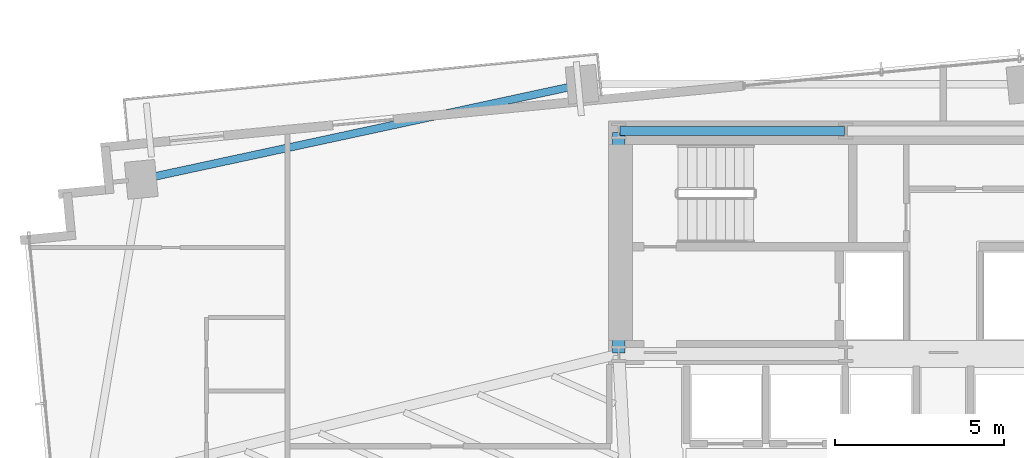
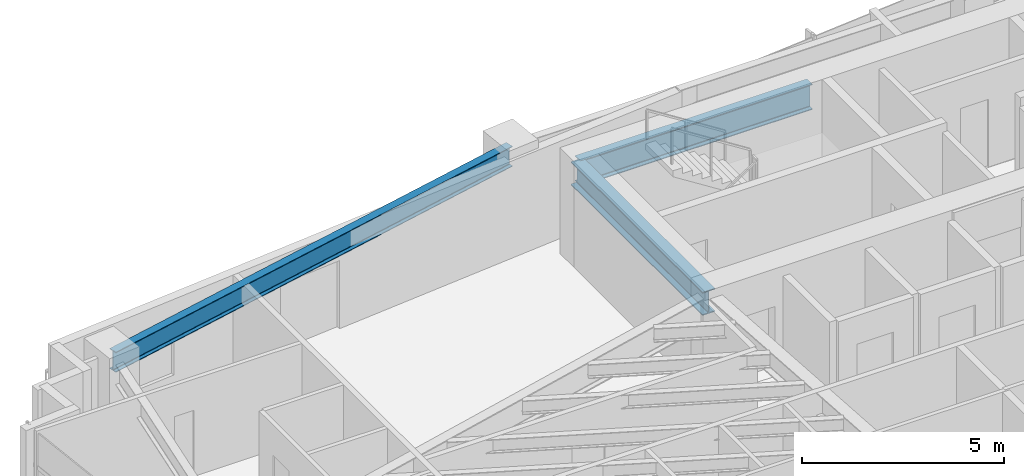
# One storey, part 9 of 25: 3 beams.
"""IFC4 building model written with IfcOpenShell, lengths in metres."""

from ifc_helpers import new_model, si_unit, direction, frame, origin, origin_2d, place, context, subcontext, project, spatial, i_section, extrude, source, transform, mapped, material, material_profile, profile_set, type_object, type_shapes, element, save


model = new_model("IFC4")

# Units and contexts
model_context = context("Model", 3, precision=1e-05, world=origin(), true_north=direction((0.0, 1.0)))
body_context = subcontext(model_context, "Body", "Model", "MODEL_VIEW")
ifc_project = project(units=[si_unit("LENGTHUNIT", "METRE"), si_unit("AREAUNIT", "SQUARE_METRE"), si_unit("VOLUMEUNIT", "CUBIC_METRE"), si_unit("PLANEANGLEUNIT", "RADIAN"), si_unit("MASSUNIT", "GRAM", prefix="KILO")], contexts=[model_context])

# Site, building, storey
site_placement = place(None, origin())
site = spatial("IfcSite", under=ifc_project, at=site_placement, CompositionType="ELEMENT")
building_placement = place(site_placement, origin())
building = spatial("IfcBuilding", under=site, at=building_placement, Name="Astriad Promenade Condominiums", CompositionType="ELEMENT")
storey_placement = place(building_placement, frame((0.0, 0.0, 77.800048828125)))
storey = spatial("IfcBuildingStorey", under=building, at=storey_placement, Name="L21", CompositionType="ELEMENT", Elevation=77.800048828125)

# Beams
ifc_material = material(Name="Steel ASTM A992 Grade 50", Category="steel")
ifc_material_profile_1 = material_profile(ifc_material, i_section(OverallWidth=0.267822265625, OverallDepth=0.76953125, WebThickness=0.015625, FlangeThickness=0.025390625, FilletRadius=0.021484375, at=origin_2d()), Name="W30X132")
ifc_profile_set_1 = profile_set([ifc_material_profile_1], Name="Steel ASTM A992 Grade 50")
beam_type_1 = type_object("IfcBeamType", Name="STEEL FLOOR GIRDER W30X132", PredefinedType="BEAM", material=ifc_profile_set_1)
shared_shape_1 = source(origin(), body_context, "Body", "SweptSolid", [
    extrude(i_section(OverallWidth=0.267822265625, OverallDepth=0.76953125, WebThickness=0.015625, FlangeThickness=0.025390625, FilletRadius=0.021484375, at=origin_2d()), origin(), (0.0, 0.0, 1.0), 6.64013671875),
])
type_shapes(beam_type_1, [shared_shape_1])
beam_1_placement = place(storey_placement, frame((26.43994140625, 24.0, 2.55517578125), z_axis=(1.0, 0.0, 0.0), x_axis=(0.0, 1.0, 0.0)))
element("IfcBeam", 1, at=beam_1_placement, inside=storey, type_object=beam_type_1, Name="Core Ring Beam CG-N1-L21", PredefinedType="BEAM", context=body_context, shape_type="MappedRepresentation", body=[
    mapped(shared_shape_1, transform((0.0, 0.0, 0.0), scale=1.0)),
])
ifc_material_profile_2 = material_profile(ifc_material, i_section(OverallWidth=0.35791015625, OverallDepth=0.706298828125, WebThickness=0.018310546875, FlangeThickness=0.0302734375, FilletRadius=0.020263671875, at=origin_2d()), Name="W27X178")
ifc_profile_set_2 = profile_set([ifc_material_profile_2], Name="Steel ASTM A992 Grade 50")
beam_type_2 = type_object("IfcBeamType", Name="STEEL FLOOR GIRDER W27X178", PredefinedType="BEAM", material=ifc_profile_set_2)
shared_shape_2 = source(origin(), body_context, "Body", "SweptSolid", [
    extrude(i_section(OverallWidth=0.35791015625, OverallDepth=0.706298828125, WebThickness=0.018310546875, FlangeThickness=0.0302734375, FilletRadius=0.020263671875, at=origin_2d()), origin(), (0.0, 0.0, 1.0), 6.52001953125),
])
type_shapes(beam_type_2, [shared_shape_2])
beam_2_placement = place(storey_placement, frame((26.39990234375, 17.43994140625, 2.586669921875), z_axis=(0.0, 1.0, 0.0), x_axis=(-1.0, 0.0, 0.0)))
element("IfcBeam", 2, at=beam_2_placement, inside=storey, type_object=beam_type_2, Name="Core Ring Beam CG-W1-L21", PredefinedType="BEAM", context=body_context, shape_type="MappedRepresentation", body=[
    mapped(shared_shape_2, transform((0.0, 0.0, 0.0), scale=1.0)),
])
ifc_material_profile_3 = material_profile(ifc_material, i_section(OverallWidth=0.22900390625, OverallDepth=0.612060546875, WebThickness=0.011962890625, FlangeThickness=0.01953125, FilletRadius=0.017822265625, at=origin_2d()), Name="W24X84")
ifc_profile_set_3 = profile_set([ifc_material_profile_3], Name="Steel ASTM A992 Grade 50")
beam_type_3 = type_object("IfcBeamType", Name="STEEL SPANDREL BEAM W24X84", PredefinedType="SPANDREL", material=ifc_profile_set_3)
shared_shape_3 = source(origin(), body_context, "Body", "SweptSolid", [
    extrude(i_section(OverallWidth=0.22900390625, OverallDepth=0.612060546875, WebThickness=0.011962890625, FlangeThickness=0.01953125, FilletRadius=0.017822265625, at=origin_2d()), origin(), (0.0, 0.0, 1.0), 13.25927734375),
])
type_shapes(beam_type_3, [shared_shape_3])
beam_3_placement = place(storey_placement, frame((25.27587890625, 25.37158203125, 2.6337890625), z_axis=(-0.977531608864, -0.210788884127, 0.0), x_axis=(0.210788884127, -0.977531608864, 0.0)))
element("IfcBeam", 3, at=beam_3_placement, inside=storey, type_object=beam_type_3, Name="Perimeter Spandrel Beam SP-N1-L21", PredefinedType="SPANDREL", context=body_context, shape_type="MappedRepresentation", body=[
    mapped(shared_shape_3, transform((0.0, 0.0, 0.0), scale=1.0)),
])

save(model, "model.ifc")
